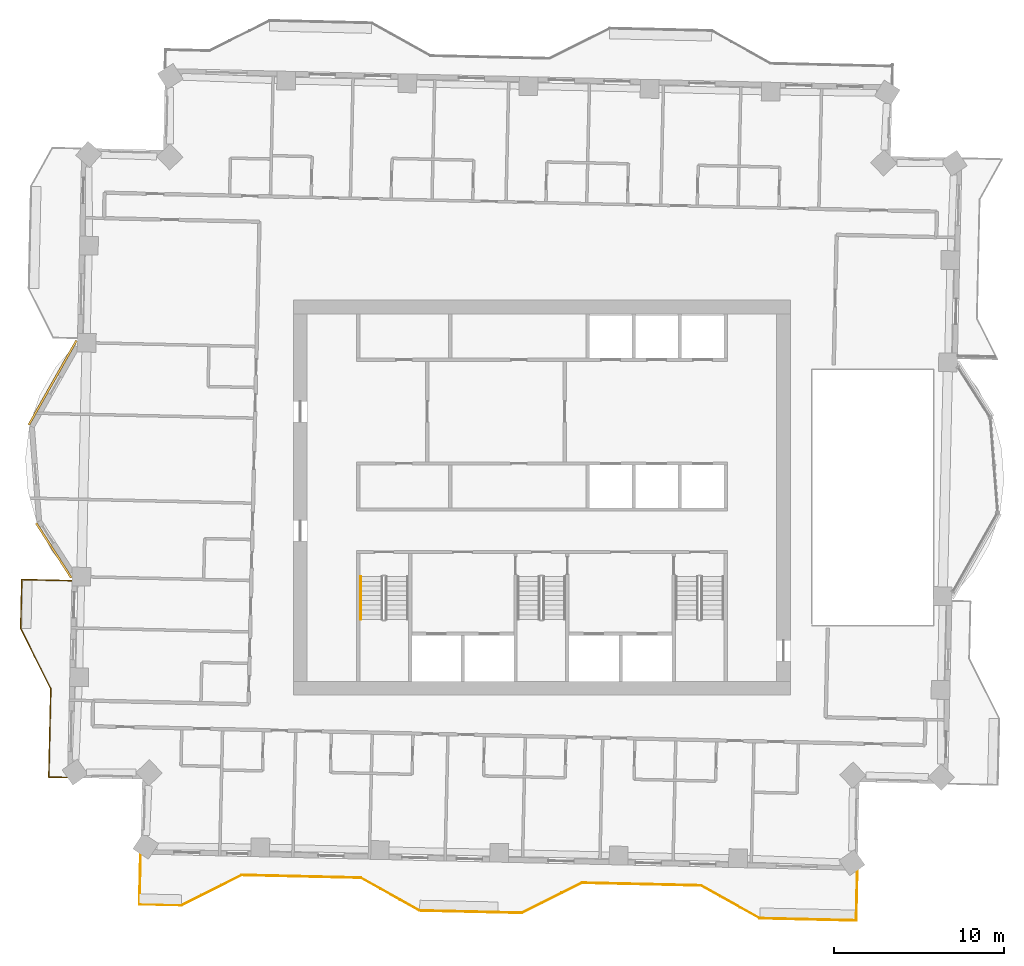
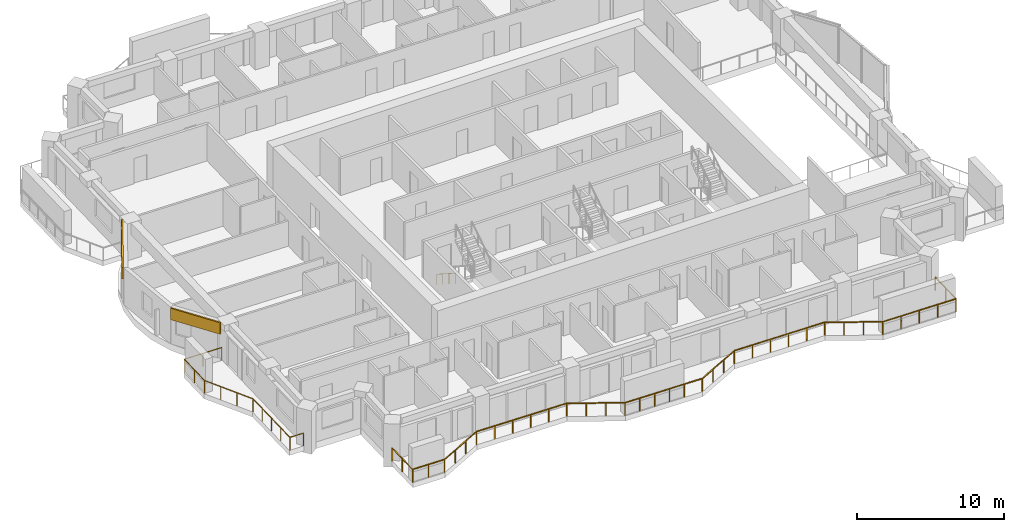
# One storey, part 13 of 16: 3 railings, 2 coverings.
"""IFC4 building model written with IfcOpenShell, lengths in metres."""

from ifc_helpers import new_model, si_unit, direction, frame, frame_2d, origin, origin_2d, place, context, subcontext, project, spatial, rectangle, circle, extrude, material, layer, layer_set, type_object, element, save


model = new_model("IFC4")

# Units and contexts
model_context = context("Model", 3, precision=1e-05, world=origin(), true_north=direction((0.0, 1.0)))
body_context = subcontext(model_context, "Body", "Model", "MODEL_VIEW")
ifc_project = project(units=[si_unit("LENGTHUNIT", "METRE"), si_unit("AREAUNIT", "SQUARE_METRE"), si_unit("VOLUMEUNIT", "CUBIC_METRE"), si_unit("PLANEANGLEUNIT", "RADIAN"), si_unit("MASSUNIT", "GRAM", prefix="KILO")], contexts=[model_context])

# Site, building, storey
site_placement = place(None, origin())
site = spatial("IfcSite", under=ifc_project, at=site_placement, CompositionType="ELEMENT")
building_placement = place(site_placement, origin())
building = spatial("IfcBuilding", under=site, at=building_placement, Name="Mangrove Gate Tower", CompositionType="ELEMENT")
storey_placement = place(building_placement, frame((0.0, 0.0, 215.89990234375)))
storey = spatial("IfcBuildingStorey", under=building, at=storey_placement, Name="L55", CompositionType="ELEMENT", Elevation=215.89990234375)

# Railings
ifc_material_1 = material(Name="Stainless steel grade 316 with laminated glass infill", Category="steel")
railing_type_1 = type_object("IfcRailingType", Name="Balcony guard 1100", PredefinedType="GUARDRAIL", material=ifc_material_1)
railing_1_placement = place(storey_placement, frame((-27.6669921875, -4.885986328125, 0.0)))
element("IfcRailing", 1, at=railing_1_placement, inside=storey, type_object=railing_type_1, Name="GUARD L55 W2", PredefinedType="GUARDRAIL", context=body_context, shape_type="SweptSolid", body=[
    extrude(rectangle(XDim=0.048095703125, YDim=0.048095703125, at=origin_2d()), frame((0.0, 0.0, 1.076171875), z_axis=(-0.999743349437, 0.022654696127, 0.0), x_axis=(-0.022654696127, -0.999743349437, 0.0)), (0.0, 0.0, 1.0), 2.90966796875),
    extrude(rectangle(XDim=0.048095703125, YDim=0.048095703125, at=origin_2d()), frame((-2.908935546875, 0.06591796875, 1.076171875), z_axis=(-0.022675106248, -0.999742886725, 0.0), x_axis=(0.999742886725, -0.022675106248, 0.0)), (0.0, 0.0, 1.0), 2.874755859375),
    extrude(rectangle(XDim=0.048095703125, YDim=0.048095703125, at=origin_2d()), frame((-2.97412109375, -2.80810546875, 1.076171875), z_axis=(0.447114919141, -0.894476522376, 0.0), x_axis=(0.894476522376, 0.447114919141, 0.0)), (0.0, 0.0, 1.0), 3.958740234375),
    extrude(rectangle(XDim=0.048095703125, YDim=0.048095703125, at=origin_2d()), frame((-1.2041015625, -6.34912109375, 1.076171875), z_axis=(-0.022679806622, -0.999742780105, 0.0), x_axis=(0.999742780105, -0.022679806622, 0.0)), (0.0, 0.0, 1.0), 5.19921875),
    extrude(rectangle(XDim=0.048095703125, YDim=0.048095703125, at=origin_2d()), frame((-1.322021484375, -11.547119140625, 1.076171875), z_axis=(0.999744919731, -0.022585293253, 0.0), x_axis=(0.022585293253, 0.999744919731, 0.0)), (0.0, 0.0, 1.0), 1.059326171875),
    extrude(rectangle(XDim=0.0419921875, YDim=0.0419921875, at=origin_2d()), origin(), (0.0, 0.0, 1.0), 1.052001953125),
    extrude(rectangle(XDim=0.0419921875, YDim=0.0419921875, at=origin_2d()), frame((-1.45458984375, 0.032958984375, 0.0)), (0.0, 0.0, 1.0), 1.052001953125),
    extrude(rectangle(XDim=0.0419921875, YDim=0.0419921875, at=origin_2d()), frame((-2.908935546875, 0.06591796875, 0.0)), (0.0, 0.0, 1.0), 1.052001953125),
    extrude(rectangle(XDim=0.0419921875, YDim=0.0419921875, at=origin_2d()), frame((-2.94140625, -1.37109375, 0.0)), (0.0, 0.0, 1.0), 1.052001953125),
    extrude(rectangle(XDim=0.0419921875, YDim=0.0419921875, at=origin_2d()), frame((-2.97412109375, -2.80810546875, 0.0)), (0.0, 0.0, 1.0), 1.052001953125),
    extrude(rectangle(XDim=0.0419921875, YDim=0.0419921875, at=origin_2d()), frame((-2.384033203125, -3.988525390625, 0.0)), (0.0, 0.0, 1.0), 1.052001953125),
    extrude(rectangle(XDim=0.0419921875, YDim=0.0419921875, at=origin_2d()), frame((-1.794189453125, -5.168701171875, 0.0)), (0.0, 0.0, 1.0), 1.052001953125),
    extrude(rectangle(XDim=0.0419921875, YDim=0.0419921875, at=origin_2d()), frame((-1.2041015625, -6.34912109375, 0.0)), (0.0, 0.0, 1.0), 1.052001953125),
    extrude(rectangle(XDim=0.0419921875, YDim=0.0419921875, at=origin_2d()), frame((-1.233642578125, -7.648681640625, 0.0)), (0.0, 0.0, 1.0), 1.052001953125),
    extrude(rectangle(XDim=0.0419921875, YDim=0.0419921875, at=origin_2d()), frame((-1.26318359375, -8.9482421875, 0.0)), (0.0, 0.0, 1.0), 1.052001953125),
    extrude(rectangle(XDim=0.0419921875, YDim=0.0419921875, at=origin_2d()), frame((-1.29248046875, -10.24755859375, 0.0)), (0.0, 0.0, 1.0), 1.052001953125),
    extrude(rectangle(XDim=0.0419921875, YDim=0.0419921875, at=origin_2d()), frame((-1.322021484375, -11.547119140625, 0.0)), (0.0, 0.0, 1.0), 1.052001953125),
    extrude(rectangle(XDim=0.0419921875, YDim=0.0419921875, at=origin_2d()), frame((-0.262939453125, -11.571044921875, 0.0)), (0.0, 0.0, 1.0), 1.052001953125),
])
railing_2_placement = place(storey_placement, frame((-23.592041015625, -20.9970703125, 0.0)))
element("IfcRailing", 2, at=railing_2_placement, inside=storey, type_object=railing_type_1, Name="GUARD L55 S1", PredefinedType="GUARDRAIL", context=body_context, shape_type="SweptSolid", body=[
    extrude(rectangle(XDim=0.048095703125, YDim=0.048095703125, at=origin_2d()), frame((0.0, 0.0, 1.076171875), z_axis=(-0.022319239446, -0.999750894749, 0.0), x_axis=(0.999750894749, -0.022319239446, 0.0)), (0.0, 0.0, 1.0), 2.90966796875),
    extrude(rectangle(XDim=0.048095703125, YDim=0.048095703125, at=origin_2d()), frame((-0.06494140625, -2.908935546875, 1.076171875), z_axis=(0.999744125264, -0.022620433227, 0.0), x_axis=(0.022620433227, 0.999744125264, 0.0)), (0.0, 0.0, 1.0), 2.4716796875),
    extrude(rectangle(XDim=0.048095703125, YDim=0.048095703125, at=origin_2d()), frame((2.406005859375, -2.96484375, 1.076171875), z_axis=(0.894476522376, 0.447114919141, 0.0), x_axis=(-0.447114919141, 0.894476522376, 0.0)), (0.0, 0.0, 1.0), 3.958740234375),
    extrude(rectangle(XDim=0.048095703125, YDim=0.048095703125, at=origin_2d()), frame((5.947021484375, -1.19482421875, 1.076171875), z_axis=(0.999741403216, -0.022740419861, 0.0), x_axis=(0.022740419861, 0.999741403216, 0.0)), (0.0, 0.0, 1.0), 6.999755859375),
    extrude(rectangle(XDim=0.048095703125, YDim=0.048095703125, at=origin_2d()), frame((12.945068359375, -1.35400390625, 1.076171875), z_axis=(0.87325689943, -0.48726008209, 0.0), x_axis=(0.48726008209, 0.87325689943, 0.0)), (0.0, 0.0, 1.0), 3.958740234375),
    extrude(rectangle(XDim=0.048095703125, YDim=0.048095703125, at=origin_2d()), frame((16.402099609375, -3.282958984375, 1.076171875), z_axis=(0.999744377441, -0.022609285172, 0.0), x_axis=(0.022609285172, 0.999744377441, 0.0)), (0.0, 0.0, 1.0), 4.60009765625),
    extrude(rectangle(XDim=0.048095703125, YDim=0.048095703125, at=origin_2d()), frame((21.0009765625, -3.386962890625, 1.076171875), z_axis=(0.999739219063, -0.022836240226, 0.0), x_axis=(0.022836240226, 0.999739219063, 0.0)), (0.0, 0.0, 1.0), 1.400390625),
    extrude(rectangle(XDim=0.048095703125, YDim=0.048095703125, at=origin_2d()), frame((22.401123046875, -3.4189453125, 1.076171875), z_axis=(0.894476522376, 0.447114919141, 0.0), x_axis=(-0.447114919141, 0.894476522376, 0.0)), (0.0, 0.0, 1.0), 3.958740234375),
    extrude(rectangle(XDim=0.048095703125, YDim=0.048095703125, at=origin_2d()), frame((25.942138671875, -1.64892578125, 1.076171875), z_axis=(0.999742177561, -0.022706351659, 0.0), x_axis=(0.022706351659, 0.999742177561, 0.0)), (0.0, 0.0, 1.0), 6.99951171875),
    extrude(rectangle(XDim=0.048095703125, YDim=0.048095703125, at=origin_2d()), frame((32.93994140625, -1.807861328125, 1.076171875), z_axis=(0.87325689943, -0.48726008209, 0.0), x_axis=(0.48726008209, 0.87325689943, 0.0)), (0.0, 0.0, 1.0), 3.958740234375),
    extrude(rectangle(XDim=0.048095703125, YDim=0.048095703125, at=origin_2d()), frame((36.39697265625, -3.73681640625, 1.076171875), z_axis=(0.999744693871, -0.022595288832, 0.0), x_axis=(0.022595288832, 0.999744693871, 0.0)), (0.0, 0.0, 1.0), 5.672607421875),
    extrude(rectangle(XDim=0.048095703125, YDim=0.048095703125, at=origin_2d()), frame((42.068115234375, -3.864990234375, 1.076171875), z_axis=(0.022652795902, 0.999743392495, 0.0), x_axis=(-0.999743392495, 0.022652795902, 0.0)), (0.0, 0.0, 1.0), 2.909912109375),
    extrude(rectangle(XDim=0.0419921875, YDim=0.0419921875, at=origin_2d()), origin(), (0.0, 0.0, 1.0), 1.052001953125),
    extrude(rectangle(XDim=0.0419921875, YDim=0.0419921875, at=origin_2d()), frame((-0.032470703125, -1.45458984375, 0.0)), (0.0, 0.0, 1.0), 1.052001953125),
    extrude(rectangle(XDim=0.0419921875, YDim=0.0419921875, at=origin_2d()), frame((-0.06494140625, -2.908935546875, 0.0)), (0.0, 0.0, 1.0), 1.052001953125),
    extrude(rectangle(XDim=0.0419921875, YDim=0.0419921875, at=origin_2d()), frame((1.17041015625, -2.93701171875, 0.0)), (0.0, 0.0, 1.0), 1.052001953125),
    extrude(rectangle(XDim=0.0419921875, YDim=0.0419921875, at=origin_2d()), frame((2.406005859375, -2.96484375, 0.0)), (0.0, 0.0, 1.0), 1.052001953125),
    extrude(rectangle(XDim=0.0419921875, YDim=0.0419921875, at=origin_2d()), frame((3.58642578125, -2.374755859375, 0.0)), (0.0, 0.0, 1.0), 1.052001953125),
    extrude(rectangle(XDim=0.0419921875, YDim=0.0419921875, at=origin_2d()), frame((4.7666015625, -1.784912109375, 0.0)), (0.0, 0.0, 1.0), 1.052001953125),
    extrude(rectangle(XDim=0.0419921875, YDim=0.0419921875, at=origin_2d()), frame((5.947021484375, -1.19482421875, 0.0)), (0.0, 0.0, 1.0), 1.052001953125),
    extrude(rectangle(XDim=0.0419921875, YDim=0.0419921875, at=origin_2d()), frame((7.3466796875, -1.2265625, 0.0)), (0.0, 0.0, 1.0), 1.052001953125),
    extrude(rectangle(XDim=0.0419921875, YDim=0.0419921875, at=origin_2d()), frame((8.746337890625, -1.258544921875, 0.0)), (0.0, 0.0, 1.0), 1.052001953125),
    extrude(rectangle(XDim=0.0419921875, YDim=0.0419921875, at=origin_2d()), frame((10.145751953125, -1.290283203125, 0.0)), (0.0, 0.0, 1.0), 1.052001953125),
    extrude(rectangle(XDim=0.0419921875, YDim=0.0419921875, at=origin_2d()), frame((11.54541015625, -1.322265625, 0.0)), (0.0, 0.0, 1.0), 1.052001953125),
    extrude(rectangle(XDim=0.0419921875, YDim=0.0419921875, at=origin_2d()), frame((12.945068359375, -1.35400390625, 0.0)), (0.0, 0.0, 1.0), 1.052001953125),
    extrude(rectangle(XDim=0.0419921875, YDim=0.0419921875, at=origin_2d()), frame((14.097412109375, -1.9970703125, 0.0)), (0.0, 0.0, 1.0), 1.052001953125),
    extrude(rectangle(XDim=0.0419921875, YDim=0.0419921875, at=origin_2d()), frame((15.249755859375, -2.639892578125, 0.0)), (0.0, 0.0, 1.0), 1.052001953125),
    extrude(rectangle(XDim=0.0419921875, YDim=0.0419921875, at=origin_2d()), frame((16.402099609375, -3.282958984375, 0.0)), (0.0, 0.0, 1.0), 1.052001953125),
    extrude(rectangle(XDim=0.0419921875, YDim=0.0419921875, at=origin_2d()), frame((17.5517578125, -3.30908203125, 0.0)), (0.0, 0.0, 1.0), 1.052001953125),
    extrude(rectangle(XDim=0.0419921875, YDim=0.0419921875, at=origin_2d()), frame((18.70166015625, -3.3349609375, 0.0)), (0.0, 0.0, 1.0), 1.052001953125),
    extrude(rectangle(XDim=0.0419921875, YDim=0.0419921875, at=origin_2d()), frame((19.851318359375, -3.36083984375, 0.0)), (0.0, 0.0, 1.0), 1.052001953125),
    extrude(rectangle(XDim=0.0419921875, YDim=0.0419921875, at=origin_2d()), frame((21.0009765625, -3.386962890625, 0.0)), (0.0, 0.0, 1.0), 1.052001953125),
    extrude(rectangle(XDim=0.0419921875, YDim=0.0419921875, at=origin_2d()), frame((22.401123046875, -3.4189453125, 0.0)), (0.0, 0.0, 1.0), 1.052001953125),
    extrude(rectangle(XDim=0.0419921875, YDim=0.0419921875, at=origin_2d()), frame((23.58154296875, -2.828857421875, 0.0)), (0.0, 0.0, 1.0), 1.052001953125),
    extrude(rectangle(XDim=0.0419921875, YDim=0.0419921875, at=origin_2d()), frame((24.76171875, -2.239013671875, 0.0)), (0.0, 0.0, 1.0), 1.052001953125),
    extrude(rectangle(XDim=0.0419921875, YDim=0.0419921875, at=origin_2d()), frame((25.942138671875, -1.64892578125, 0.0)), (0.0, 0.0, 1.0), 1.052001953125),
    extrude(rectangle(XDim=0.0419921875, YDim=0.0419921875, at=origin_2d()), frame((27.341796875, -1.6806640625, 0.0)), (0.0, 0.0, 1.0), 1.052001953125),
    extrude(rectangle(XDim=0.0419921875, YDim=0.0419921875, at=origin_2d()), frame((28.7412109375, -1.71240234375, 0.0)), (0.0, 0.0, 1.0), 1.052001953125),
    extrude(rectangle(XDim=0.0419921875, YDim=0.0419921875, at=origin_2d()), frame((30.140869140625, -1.744384765625, 0.0)), (0.0, 0.0, 1.0), 1.052001953125),
    extrude(rectangle(XDim=0.0419921875, YDim=0.0419921875, at=origin_2d()), frame((31.540283203125, -1.776123046875, 0.0)), (0.0, 0.0, 1.0), 1.052001953125),
    extrude(rectangle(XDim=0.0419921875, YDim=0.0419921875, at=origin_2d()), frame((32.93994140625, -1.807861328125, 0.0)), (0.0, 0.0, 1.0), 1.052001953125),
    extrude(rectangle(XDim=0.0419921875, YDim=0.0419921875, at=origin_2d()), frame((34.09228515625, -2.450927734375, 0.0)), (0.0, 0.0, 1.0), 1.052001953125),
    extrude(rectangle(XDim=0.0419921875, YDim=0.0419921875, at=origin_2d()), frame((35.24462890625, -3.09375, 0.0)), (0.0, 0.0, 1.0), 1.052001953125),
    extrude(rectangle(XDim=0.0419921875, YDim=0.0419921875, at=origin_2d()), frame((36.39697265625, -3.73681640625, 0.0)), (0.0, 0.0, 1.0), 1.052001953125),
    extrude(rectangle(XDim=0.0419921875, YDim=0.0419921875, at=origin_2d()), frame((37.814697265625, -3.768798828125, 0.0)), (0.0, 0.0, 1.0), 1.052001953125),
    extrude(rectangle(XDim=0.0419921875, YDim=0.0419921875, at=origin_2d()), frame((39.232421875, -3.80078125, 0.0)), (0.0, 0.0, 1.0), 1.052001953125),
    extrude(rectangle(XDim=0.0419921875, YDim=0.0419921875, at=origin_2d()), frame((40.650390625, -3.8330078125, 0.0)), (0.0, 0.0, 1.0), 1.052001953125),
    extrude(rectangle(XDim=0.0419921875, YDim=0.0419921875, at=origin_2d()), frame((42.068115234375, -3.864990234375, 0.0)), (0.0, 0.0, 1.0), 1.052001953125),
    extrude(rectangle(XDim=0.0419921875, YDim=0.0419921875, at=origin_2d()), frame((42.10107421875, -2.410400390625, 0.0)), (0.0, 0.0, 1.0), 1.052001953125),
    extrude(rectangle(XDim=0.0419921875, YDim=0.0419921875, at=origin_2d()), frame((42.134033203125, -0.955810546875, 0.0)), (0.0, 0.0, 1.0), 1.052001953125),
])
ifc_material_2 = material(Name="Stainless steel 316", Category="steel")
railing_type_2 = type_object("IfcRailingType", Name="Core stair handrail 900", PredefinedType="HANDRAIL", material=ifc_material_2)
railing_3_placement = place(storey_placement, frame((-10.64990234375, -4.64990234375, 0.18017578125)))
element("IfcRailing", 3, at=railing_3_placement, inside=storey, type_object=railing_type_2, Name="L55 ST1 stair handrail 1", PredefinedType="HANDRAIL", context=body_context, shape_type="SweptSolid", body=[
    extrude(circle(Radius=0.02392578125, at=origin_2d()), frame((0.0, 0.0, 0.8759765625), z_axis=(0.0, -0.841199657755, 0.540724639528), x_axis=(1.0, 0.0, 0.0)), (0.0, 0.0, 1.0), 2.995849609375),
    extrude(circle(Radius=0.02099609375, at=origin_2d()), origin(), (0.0, 0.0, 1.0), 0.851806640625),
    extrude(circle(Radius=0.02099609375, at=origin_2d()), frame((0.0, -0.840087890625, 0.5400390625)), (0.0, 0.0, 1.0), 0.851806640625),
    extrude(circle(Radius=0.02099609375, at=origin_2d()), frame((0.0, -1.679931640625, 1.079833984375)), (0.0, 0.0, 1.0), 0.851806640625),
    extrude(circle(Radius=0.02099609375, at=origin_2d()), frame((0.0, -2.52001953125, 1.619873046875)), (0.0, 0.0, 1.0), 0.851806640625),
])

# Coverings
ifc_material_3 = material(Name="Limestone", Category="masonry")
ifc_layer_1 = layer(ifc_material_3, 0.0400390625, Name="Limestone cladding")
ifc_material_4 = material(Name="Stainless steel anchors and cavity", Category="steel")
ifc_layer_2 = layer(ifc_material_4, 0.080078125, Name="Fixing cavity")
ifc_layer_set = layer_set([ifc_layer_1, ifc_layer_2], Name="Joint fascia cladding 120")
covering_type = type_object("IfcCoveringType", Name="Joint fascia cladding 120", PredefinedType="CLADDING", material=ifc_layer_set)
covering_1_placement = place(storey_placement, frame((-27.35693359375, 9.236572265625, 2.10009765625), z_axis=(0.0, 0.0, 1.0), x_axis=(-0.492512614445, -0.870305305403, 0.0)))
element("IfcCovering", 4, at=covering_1_placement, inside=storey, type_object=covering_type, Name="STONE FASCIA L55 W9.L1", PredefinedType="CLADDING", context=body_context, shape_type="SweptSolid", body=[
    extrude(rectangle(XDim=5.70556640625, YDim=0.1201171875, at=frame_2d((2.852783203125, 0.0))), origin(), (0.0, 0.0, 1.0), 0.949951171875),
])
covering_2_placement = place(storey_placement, frame((-29.73095703125, -1.501953125, 2.10009765625), z_axis=(0.0, 0.0, 1.0), x_axis=(0.540340805768, -0.841446263063, 0.0)))
element("IfcCovering", 5, at=covering_2_placement, inside=storey, type_object=covering_type, Name="STONE FASCIA L55 W9.L2", PredefinedType="CLADDING", context=body_context, shape_type="SweptSolid", body=[
    extrude(rectangle(XDim=3.81982421875, YDim=0.1201171875, at=frame_2d((1.909912109375, 0.0))), origin(), (0.0, 0.0, 1.0), 0.949951171875),
])

save(model, "model.ifc")
